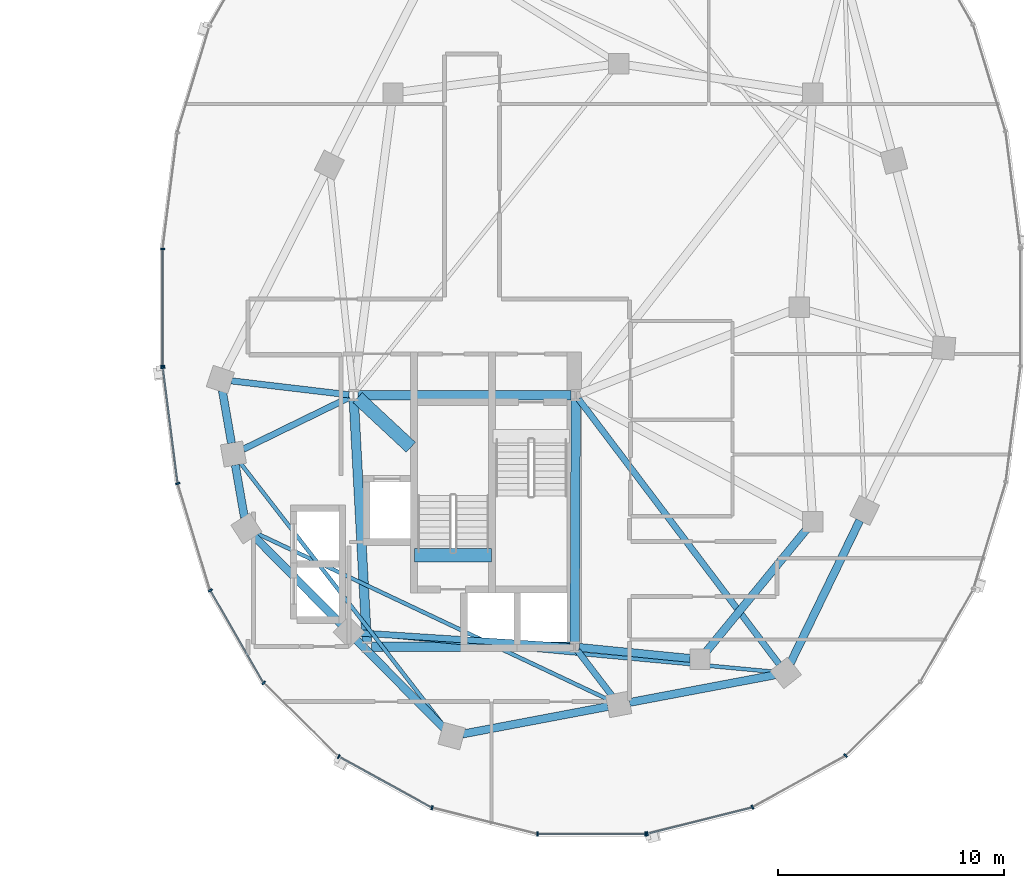
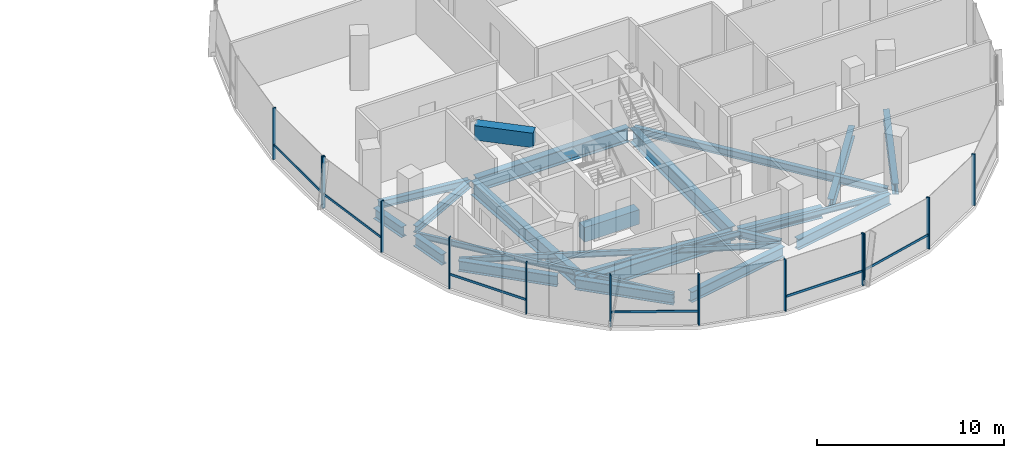
# One storey, part 6 of 22: 23 beams, 19 members, 3 elements without a shape of their own.
"""IFC4 building model written with IfcOpenShell, lengths in metres."""

from ifc_helpers import new_model, si_unit, direction, frame, origin, origin_2d, place, context, subcontext, project, spatial, rectangle, i_section, extrude, material, material_profile, profile_set, type_object, element, aggregate, save


model = new_model("IFC4")

# Units and contexts
model_context = context("Model", 3, precision=1e-05, world=origin(), true_north=direction((0.0, 1.0)))
body_context = subcontext(model_context, "Body", "Model", "MODEL_VIEW")
ifc_project = project(units=[si_unit("LENGTHUNIT", "METRE"), si_unit("AREAUNIT", "SQUARE_METRE"), si_unit("VOLUMEUNIT", "CUBIC_METRE"), si_unit("PLANEANGLEUNIT", "RADIAN"), si_unit("MASSUNIT", "GRAM", prefix="KILO"), si_unit("THERMODYNAMICTEMPERATUREUNIT", "KELVIN"), si_unit("POWERUNIT", "WATT")], contexts=[model_context])

# Site, building, storey
site_placement = place(None, origin())
site = spatial("IfcSite", under=ifc_project, at=site_placement, CompositionType="ELEMENT")
building_placement = place(site_placement, origin())
building = spatial("IfcBuilding", under=site, at=building_placement, Name="Cundina Bronze Exchange", CompositionType="ELEMENT")
storey_placement = place(building_placement, frame((0.0, 0.0, 154.800048828125)))
storey = spatial("IfcBuildingStorey", under=building, at=storey_placement, Name="L40", CompositionType="ELEMENT", Elevation=154.800048828125)

# Beams
ifc_material_1 = material(Name="Concrete C60/75", Category="concrete")
ifc_material_profile_1 = material_profile(ifc_material_1, rectangle(XDim=0.60009765625, YDim=0.949951171875, at=origin_2d()), Name="RC600X950", Category="concrete")
ifc_profile_set_1 = profile_set([ifc_material_profile_1], Name="Concrete C60/75")
beam_type_1 = type_object("IfcBeamType", Name="BM-COUP-RC950", PredefinedType="LINTEL", material=ifc_profile_set_1)
beam_1_placement = place(storey_placement, frame((24.159912109375, -10.97998046875, -0.47509765625), z_axis=(1.0, 0.0, 0.0), x_axis=(0.0, 1.0, 0.0)))
element("IfcBeam", 1, at=beam_1_placement, inside=storey, type_object=beam_type_1, Name="L40 Stair E2 Landing Header Beam", PredefinedType="LINTEL", context=body_context, shape_type="SweptSolid", body=[
    extrude(rectangle(XDim=0.60009765625, YDim=0.949951171875, at=origin_2d()), origin(), (0.0, 0.0, 1.0), 3.400146484375),
])
beam_2_placement = place(storey_placement, frame((21.6298828125, -4.0, 2.885009765625), z_axis=(0.731490439815, -0.681851696822, 0.0), x_axis=(0.681851696822, 0.731490439815, 0.0)))
element("IfcBeam", 2, at=beam_2_placement, inside=storey, type_object=beam_type_1, Name="L40 E Core Shear Coupling Lintel Beam", PredefinedType="LINTEL", context=body_context, shape_type="SweptSolid", body=[
    extrude(rectangle(XDim=0.60009765625, YDim=0.949951171875, at=origin_2d()), origin(), (0.0, 0.0, 1.0), 3.226318359375),
])
ifc_material_2 = material(Name="Steel ASTM A992 Grade 50", Category="steel")
ifc_material_profile_2 = material_profile(ifc_material_2, i_section(OverallWidth=0.280029296875, OverallDepth=0.462890625, WebThickness=0.0107421875, FlangeThickness=0.017333984375, FilletRadius=0.011962890625, at=origin_2d()), Name="W18X76", Category="steel")
ifc_profile_set_2 = profile_set([ifc_material_profile_2], Name="Steel ASTM A992 Grade 50")
beam_type_2 = type_object("IfcBeamType", Name="BM-FLR-W18A", PredefinedType="BEAM", material=ifc_profile_set_2)
beam_3_placement = place(storey_placement, frame((21.247314453125, -3.8759765625, -0.471435546875), z_axis=(-0.993036158382, 0.11780996624, 0.0), x_axis=(-0.11780996624, -0.993036158382, 0.0)))
element("IfcBeam", 3, at=beam_3_placement, inside=storey, type_object=beam_type_2, Name="L40 Leg E Chordal Floor Beam 00", PredefinedType="BEAM", context=body_context, shape_type="SweptSolid", body=[
    extrude(i_section(OverallWidth=0.280029296875, OverallDepth=0.462890625, WebThickness=0.0107421875, FlangeThickness=0.017333984375, FilletRadius=0.011962890625, at=origin_2d()), origin(), (0.0, 0.0, 1.0), 5.249267578125),
])
beam_4_placement = place(storey_placement, frame((21.2666015625, -3.989501953125, -0.471435546875), z_axis=(-0.898604300669, -0.438759969481, 0.0), x_axis=(0.438759969481, -0.898604300669, 0.0)))
element("IfcBeam", 4, at=beam_4_placement, inside=storey, type_object=beam_type_2, Name="L40 Leg E Chordal Floor Beam 01", PredefinedType="BEAM", context=body_context, shape_type="SweptSolid", body=[
    extrude(i_section(OverallWidth=0.280029296875, OverallDepth=0.462890625, WebThickness=0.0107421875, FlangeThickness=0.017333984375, FilletRadius=0.011962890625, at=origin_2d()), origin(), (0.0, 0.0, 1.0), 5.23388671875),
])
beam_5_placement = place(storey_placement, frame((31.04638671875, -15.036865234375, -0.471435546875), z_axis=(-0.99789334888, 0.064875760192, 0.0), x_axis=(-0.064875760192, -0.99789334888, 0.0)))
element("IfcBeam", 5, at=beam_5_placement, inside=storey, type_object=beam_type_2, Name="L40 Leg E Chordal Floor Beam 03", PredefinedType="BEAM", context=body_context, shape_type="SweptSolid", body=[
    extrude(i_section(OverallWidth=0.280029296875, OverallDepth=0.462890625, WebThickness=0.0107421875, FlangeThickness=0.017333984375, FilletRadius=0.011962890625, at=origin_2d()), origin(), (0.0, 0.0, 1.0), 9.328857421875),
])
beam_6_placement = place(storey_placement, frame((31.373779296875, -15.2119140625, -0.471435546875), z_axis=(0.607450107571, -0.794357832977, 0.0), x_axis=(0.794357832977, 0.607450107571, 0.0)))
element("IfcBeam", 6, at=beam_6_placement, inside=storey, type_object=beam_type_2, Name="L40 Leg E Chordal Floor Beam 05", PredefinedType="BEAM", context=body_context, shape_type="SweptSolid", body=[
    extrude(i_section(OverallWidth=0.280029296875, OverallDepth=0.462890625, WebThickness=0.0107421875, FlangeThickness=0.017333984375, FilletRadius=0.011962890625, at=origin_2d()), origin(), (0.0, 0.0, 1.0), 2.518310546875),
])
beam_7_placement = place(storey_placement, frame((31.423095703125, -4.062744140625, -0.471435546875), z_axis=(0.603103901721, -0.797662637792, 0.0), x_axis=(0.797662637792, 0.603103901721, 0.0)))
element("IfcBeam", 7, at=beam_7_placement, inside=storey, type_object=beam_type_2, Name="L40 Leg E Chordal Floor Beam 06", PredefinedType="BEAM", context=body_context, shape_type="SweptSolid", body=[
    extrude(i_section(OverallWidth=0.280029296875, OverallDepth=0.462890625, WebThickness=0.0107421875, FlangeThickness=0.017333984375, FilletRadius=0.011962890625, at=origin_2d()), origin(), (0.0, 0.0, 1.0), 14.72802734375),
])
ifc_material_profile_3 = material_profile(ifc_material_2, i_section(OverallWidth=0.172119140625, OverallDepth=0.35791015625, WebThickness=0.0078125, FlangeThickness=0.01318359375, FilletRadius=0.010009765625, at=origin_2d()), Name="W14X38", Category="steel")
ifc_profile_set_3 = profile_set([ifc_material_profile_3], Name="Steel ASTM A992 Grade 50")
beam_type_3 = type_object("IfcBeamType", Name="BM-JST-W14", PredefinedType="JOIST", material=ifc_profile_set_3)
beam_8_placement = place(storey_placement, frame((16.423583984375, -6.885986328125, -0.4189453125), z_axis=(0.61208354334, -0.790793105668, 0.0), x_axis=(0.790793105668, 0.61208354334, 0.0)))
element("IfcBeam", 8, at=beam_8_placement, inside=storey, type_object=beam_type_3, Name="L40 Leg E Lobe Floor Joist 01-04", PredefinedType="JOIST", context=body_context, shape_type="SweptSolid", body=[
    extrude(i_section(OverallWidth=0.172119140625, OverallDepth=0.35791015625, WebThickness=0.0078125, FlangeThickness=0.01318359375, FilletRadius=0.010009765625, at=origin_2d()), origin(), (0.0, 0.0, 1.0), 14.830810546875),
])
beam_9_placement = place(storey_placement, frame((17.14111328125, -10.008544921875, -0.4189453125), z_axis=(0.904074252188, -0.427375416385, 0.0), x_axis=(0.427375416385, 0.904074252188, 0.0)))
element("IfcBeam", 9, at=beam_9_placement, inside=storey, type_object=beam_type_3, Name="L40 Leg E Lobe Floor Joist 02-05", PredefinedType="JOIST", context=body_context, shape_type="SweptSolid", body=[
    extrude(i_section(OverallWidth=0.172119140625, OverallDepth=0.35791015625, WebThickness=0.0078125, FlangeThickness=0.01318359375, FilletRadius=0.010009765625, at=origin_2d()), origin(), (0.0, 0.0, 1.0), 17.274658203125),
])
beam_10_placement = place(storey_placement, frame((21.73583984375, -14.4453125, -0.4189453125), z_axis=(0.995701840093, -0.092616659595, 0.0), x_axis=(0.092616659595, 0.995701840093, 0.0)))
element("IfcBeam", 10, at=beam_10_placement, inside=storey, type_object=beam_type_3, Name="L40 Leg E Lobe Floor Joist 03-06", PredefinedType="JOIST", context=body_context, shape_type="SweptSolid", body=[
    extrude(i_section(OverallWidth=0.172119140625, OverallDepth=0.35791015625, WebThickness=0.0078125, FlangeThickness=0.01318359375, FilletRadius=0.010009765625, at=origin_2d()), origin(), (0.0, 0.0, 1.0), 18.45751953125),
])
ifc_material_profile_4 = material_profile(ifc_material_2, i_section(OverallWidth=0.35498046875, OverallDepth=0.695068359375, WebThickness=0.015380859375, FlangeThickness=0.02490234375, FilletRadius=0.01806640625, at=origin_2d()), Name="W27X146", Category="steel")
ifc_profile_set_4 = profile_set([ifc_material_profile_4], Name="Steel ASTM A992 Grade 50")
beam_type_4 = type_object("IfcBeamType", Name="BM-RING-W27", PredefinedType="USERDEFINED", material=ifc_profile_set_4)
beam_11_placement = place(storey_placement, frame((31.452880859375, -15.070068359375, -0.587646484375), z_axis=(0.995123020608, -0.098641643622, 0.0), x_axis=(0.098641643622, 0.995123020608, 0.0)))
element("IfcBeam", 11, at=beam_11_placement, inside=storey, type_object=beam_type_4, Name="L40 E Inner Structural Ring Girder 01", ObjectType="GIRDER", PredefinedType="USERDEFINED", context=body_context, shape_type="SweptSolid", body=[
    extrude(i_section(OverallWidth=0.35498046875, OverallDepth=0.695068359375, WebThickness=0.015380859375, FlangeThickness=0.02490234375, FilletRadius=0.01806640625, at=origin_2d()), origin(), (0.0, 0.0, 1.0), 4.935302734375),
])
beam_12_placement = place(storey_placement, frame((37.07763671875, -15.26123046875, -0.587646484375), z_axis=(0.633912590175, 0.77340469873, 0.0), x_axis=(-0.77340469873, 0.633912590175, 0.0)))
element("IfcBeam", 12, at=beam_12_placement, inside=storey, type_object=beam_type_4, Name="L40 E Inner Structural Ring Girder 02", ObjectType="GIRDER", PredefinedType="USERDEFINED", context=body_context, shape_type="SweptSolid", body=[
    extrude(i_section(OverallWidth=0.35498046875, OverallDepth=0.695068359375, WebThickness=0.015380859375, FlangeThickness=0.02490234375, FilletRadius=0.01806640625, at=origin_2d()), origin(), (0.0, 0.0, 1.0), 7.01123046875),
])
for number, where, z_axis, x_axis, name in (
    (13, (15.6337890625, -3.680908203125, -0.587646484375), (0.171666718895, -0.985155083032, 0.0), (0.985155083032, 0.171666718895, 0.0), "L40 E Perimeter Ring Girder 00"),
    (14, (16.208740234375, -6.980712890625, -0.587646484375), (0.171666718895, -0.985155083032, 0.0), (0.985155083032, 0.171666718895, 0.0), "L40 E Perimeter Ring Girder 01"),
):
    element("IfcBeam", number, at=place(storey_placement, frame(where, z_axis=z_axis, x_axis=x_axis)), inside=storey, type_object=beam_type_4, Name=name, ObjectType="GIRDER", PredefinedType="USERDEFINED", context=body_context, shape_type="SweptSolid", body=[
        extrude(i_section(OverallWidth=0.35498046875, OverallDepth=0.695068359375, WebThickness=0.015380859375, FlangeThickness=0.02490234375, FilletRadius=0.01806640625, at=origin_2d()), origin(), (0.0, 0.0, 1.0), 2.37353515625),
    ])
beam_13_placement = place(storey_placement, frame((17.043212890625, -10.14697265625, -0.587646484375), z_axis=(0.703230112979, -0.710962311378, 0.0), x_axis=(0.710962311378, 0.703230112979, 0.0)))
element("IfcBeam", 15, at=beam_13_placement, inside=storey, type_object=beam_type_4, Name="L40 E Perimeter Ring Girder 02", ObjectType="GIRDER", PredefinedType="USERDEFINED", context=body_context, shape_type="SweptSolid", body=[
    extrude(i_section(OverallWidth=0.35498046875, OverallDepth=0.695068359375, WebThickness=0.015380859375, FlangeThickness=0.02490234375, FilletRadius=0.01806640625, at=origin_2d()), origin(), (0.0, 0.0, 1.0), 5.493896484375),
])
beam_14_placement = place(storey_placement, frame((21.59326171875, -14.746826171875, -0.587646484375), z_axis=(0.703207895705, -0.710984286337, 0.0), x_axis=(0.710984286337, 0.703207895705, 0.0)))
element("IfcBeam", 16, at=beam_14_placement, inside=storey, type_object=beam_type_4, Name="L40 E Perimeter Ring Girder 03", ObjectType="GIRDER", PredefinedType="USERDEFINED", context=body_context, shape_type="SweptSolid", body=[
    extrude(i_section(OverallWidth=0.35498046875, OverallDepth=0.695068359375, WebThickness=0.015380859375, FlangeThickness=0.02490234375, FilletRadius=0.01806640625, at=origin_2d()), origin(), (0.0, 0.0, 1.0), 5.494140625),
])
beam_15_placement = place(storey_placement, frame((26.279541015625, -18.9091796875, -0.587646484375), z_axis=(0.982571532667, 0.185884865421, 0.0), x_axis=(-0.185884865421, 0.982571532667, 0.0)))
element("IfcBeam", 17, at=beam_15_placement, inside=storey, type_object=beam_type_4, Name="L40 E Perimeter Ring Girder 04", ObjectType="GIRDER", PredefinedType="USERDEFINED", context=body_context, shape_type="SweptSolid", body=[
    extrude(i_section(OverallWidth=0.35498046875, OverallDepth=0.695068359375, WebThickness=0.015380859375, FlangeThickness=0.02490234375, FilletRadius=0.01806640625, at=origin_2d()), origin(), (0.0, 0.0, 1.0), 6.55517578125),
])
beam_16_placement = place(storey_placement, frame((33.679443359375, -17.50927734375, -0.587646484375), z_axis=(0.982572819495, 0.185878063226, 0.0), x_axis=(-0.185878063226, 0.982572819495, 0.0)))
element("IfcBeam", 18, at=beam_16_placement, inside=storey, type_object=beam_type_4, Name="L40 E Perimeter Ring Girder 05", ObjectType="GIRDER", PredefinedType="USERDEFINED", context=body_context, shape_type="SweptSolid", body=[
    extrude(i_section(OverallWidth=0.35498046875, OverallDepth=0.695068359375, WebThickness=0.015380859375, FlangeThickness=0.02490234375, FilletRadius=0.01806640625, at=origin_2d()), origin(), (0.0, 0.0, 1.0), 6.555419921875),
])
beam_17_placement = place(storey_placement, frame((40.8134765625, -15.760986328125, -0.587646484375), z_axis=(0.437196998825, 0.89936576776, 0.0), x_axis=(-0.89936576776, 0.437196998825, 0.0)))
element("IfcBeam", 19, at=beam_17_placement, inside=storey, type_object=beam_type_4, Name="L40 E Perimeter Ring Girder 06", ObjectType="GIRDER", PredefinedType="USERDEFINED", context=body_context, shape_type="SweptSolid", body=[
    extrude(i_section(OverallWidth=0.35498046875, OverallDepth=0.695068359375, WebThickness=0.015380859375, FlangeThickness=0.02490234375, FilletRadius=0.01806640625, at=origin_2d()), origin(), (0.0, 0.0, 1.0), 7.029541015625),
])
ifc_material_profile_5 = material_profile(ifc_material_2, i_section(OverallWidth=0.41796875, OverallDepth=0.927001953125, WebThickness=0.019287109375, FlangeThickness=0.031982421875, FilletRadius=0.02392578125, at=origin_2d()), Name="W36X231", Category="steel")
ifc_profile_set_5 = profile_set([ifc_material_profile_5], Name="Steel ASTM A992 Grade 50")
beam_type_5 = type_object("IfcBeamType", Name="BM-WRN-W36B", PredefinedType="USERDEFINED", material=ifc_profile_set_5)
beam_18_placement = place(storey_placement, frame((31.095947265625, -3.89990234375, -0.70361328125), z_axis=(-1.0, 0.0, 0.0), x_axis=(0.0, -1.0, 0.0)))
element("IfcBeam", 20, at=beam_18_placement, inside=storey, type_object=beam_type_5, Name="L40 E Core Perimeter Tie Girder 1", ObjectType="GIRDER", PredefinedType="USERDEFINED", context=body_context, shape_type="SweptSolid", body=[
    extrude(i_section(OverallWidth=0.41796875, OverallDepth=0.927001953125, WebThickness=0.019287109375, FlangeThickness=0.031982421875, FilletRadius=0.02392578125, at=origin_2d()), origin(), (0.0, 0.0, 1.0), 9.44189453125),
])
beam_19_placement = place(storey_placement, frame((21.4609375, -4.103759765625, -0.70361328125), z_axis=(0.053739193498, -0.998555005537, 0.0), x_axis=(0.998555005537, 0.053739193498, 0.0)))
element("IfcBeam", 21, at=beam_19_placement, inside=storey, type_object=beam_type_5, Name="L40 E Core Perimeter Tie Girder 2", ObjectType="GIRDER", PredefinedType="USERDEFINED", context=body_context, shape_type="SweptSolid", body=[
    extrude(i_section(OverallWidth=0.41796875, OverallDepth=0.927001953125, WebThickness=0.019287109375, FlangeThickness=0.031982421875, FilletRadius=0.02392578125, at=origin_2d()), origin(), (0.0, 0.0, 1.0), 10.758056640625),
])
beam_20_placement = place(storey_placement, frame((22.25390625, -15.050048828125, -0.70361328125), z_axis=(1.0, 0.0, 0.0), x_axis=(0.0, 1.0, 0.0)))
element("IfcBeam", 22, at=beam_20_placement, inside=storey, type_object=beam_type_5, Name="L40 E Core Perimeter Tie Girder 3", ObjectType="GIRDER", PredefinedType="USERDEFINED", context=body_context, shape_type="SweptSolid", body=[
    extrude(i_section(OverallWidth=0.41796875, OverallDepth=0.927001953125, WebThickness=0.019287109375, FlangeThickness=0.031982421875, FilletRadius=0.02392578125, at=origin_2d()), origin(), (0.0, 0.0, 1.0), 8.7919921875),
])
beam_21_placement = place(storey_placement, frame((31.2509765625, -14.845947265625, -0.70361328125), z_axis=(0.004477329608, 0.99998997671, 0.0), x_axis=(-0.99998997671, 0.004477329608, 0.0)))
element("IfcBeam", 23, at=beam_21_placement, inside=storey, type_object=beam_type_5, Name="L40 E Core Perimeter Tie Girder 4", ObjectType="GIRDER", PredefinedType="USERDEFINED", context=body_context, shape_type="SweptSolid", body=[
    extrude(i_section(OverallWidth=0.41796875, OverallDepth=0.927001953125, WebThickness=0.019287109375, FlangeThickness=0.031982421875, FilletRadius=0.02392578125, at=origin_2d()), origin(), (0.0, 0.0, 1.0), 10.741943359375),
])

# Curtain wall, members
ifc_material_3 = material(Name="Anodised Bronze Aluminium 6063-T6", Category="aluminium")
curtain_wall_type = type_object("IfcCurtainWallType", Name="CWS-WST-PIN", PredefinedType="NOTDEFINED", material=ifc_material_3)
curtain_wall_1_placement = place(storey_placement, origin())
curtain_wall_1 = element("IfcCurtainWall", 24, at=curtain_wall_1_placement, inside=storey, type_object=curtain_wall_type, Name="L40 CW-04 Curtain Wall Run CWR-L40-E2", PredefinedType="NOTDEFINED")
ifc_material_profile_6 = material_profile(ifc_material_3, rectangle(XDim=0.070068359375, YDim=0.18994140625, at=origin_2d()), Name="AL70X190", Category="aluminium")
ifc_profile_set_6 = profile_set([ifc_material_profile_6], Name="Anodised Bronze Aluminium 6063-T6")
member_type_1 = type_object("IfcMemberType", Name="CWM-MUL-190", PredefinedType="MULLION", material=ifc_profile_set_6)
member_1_placement = place(storey_placement, frame((12.992919921875, 2.593017578125, 0.0), z_axis=(0.0, 0.0, 1.0), x_axis=(0.0, -1.0, 0.0)))
member_1 = element("IfcMember", 25, at=member_1_placement, type_object=member_type_1, Name="CW-04 Mullion 7", PredefinedType="MULLION", context=body_context, shape_type="SweptSolid", body=[
    extrude(rectangle(XDim=0.070068359375, YDim=0.18994140625, at=origin_2d()), origin(), (0.0, 0.0, 1.0), 3.35986328125),
])
member_2_placement = place(storey_placement, frame((12.992919921875, -2.593017578125, 0.0), z_axis=(0.0, 0.0, 1.0), x_axis=(0.0, -1.0, 0.0)))
member_2 = element("IfcMember", 26, at=member_2_placement, type_object=member_type_1, Name="CW-04 End Mullion", PredefinedType="MULLION", context=body_context, shape_type="SweptSolid", body=[
    extrude(rectangle(XDim=0.070068359375, YDim=0.18994140625, at=origin_2d()), origin(), (0.0, 0.0, 1.0), 3.35986328125),
])

curtain_wall_2_placement = place(storey_placement, origin())
curtain_wall_2 = element("IfcCurtainWall", 27, at=curtain_wall_2_placement, inside=storey, type_object=curtain_wall_type, Name="L40 CW-04 Curtain Wall Run CWR-L40-E3", PredefinedType="NOTDEFINED")
member_3_placement = place(storey_placement, frame((12.998291015625, -2.676025390625, 0.0), z_axis=(0.0, 0.0, 1.0), x_axis=(0.126545236492, -0.991960837494, 0.0)))
member_3 = element("IfcMember", 28, at=member_3_placement, type_object=member_type_1, Name="CW-04 Mullion 1", PredefinedType="MULLION", context=body_context, shape_type="SweptSolid", body=[
    extrude(rectangle(XDim=0.070068359375, YDim=0.18994140625, at=origin_2d()), origin(), (0.0, 0.0, 1.0), 3.35986328125),
])
member_4_placement = place(storey_placement, frame((13.6591796875, -7.80859375, 0.0), z_axis=(0.0, 0.0, 1.0), x_axis=(0.290034140915, -0.957016299288, 0.0)))
member_4 = element("IfcMember", 29, at=member_4_placement, type_object=member_type_1, Name="CW-04 Mullion 2", PredefinedType="MULLION", context=body_context, shape_type="SweptSolid", body=[
    extrude(rectangle(XDim=0.070068359375, YDim=0.18994140625, at=origin_2d()), origin(), (0.0, 0.0, 1.0), 3.35986328125),
])
member_5_placement = place(storey_placement, frame((15.10205078125, -12.541259765625, 0.0), z_axis=(0.0, 0.0, 1.0), x_axis=(0.498487739754, -0.866896748936, 0.0)))
member_5 = element("IfcMember", 30, at=member_5_placement, type_object=member_type_1, Name="CW-04 Mullion 3", PredefinedType="MULLION", context=body_context, shape_type="SweptSolid", body=[
    extrude(rectangle(XDim=0.070068359375, YDim=0.18994140625, at=origin_2d()), origin(), (0.0, 0.0, 1.0), 3.35986328125),
])
member_6_placement = place(storey_placement, frame((17.469482421875, -16.640380859375, 0.0), z_axis=(0.0, 0.0, 1.0), x_axis=(0.712026045991, -0.702153052995, 0.0)))
member_6 = element("IfcMember", 31, at=member_6_placement, type_object=member_type_1, Name="CW-04 Mullion 4", PredefinedType="MULLION", context=body_context, shape_type="SweptSolid", body=[
    extrude(rectangle(XDim=0.070068359375, YDim=0.18994140625, at=origin_2d()), origin(), (0.0, 0.0, 1.0), 3.35986328125),
])
member_7_placement = place(storey_placement, frame((20.79345703125, -19.906005859375, 0.0), z_axis=(0.0, 0.0, 1.0), x_axis=(0.875885937035, -0.482518212408, 0.0)))
member_7 = element("IfcMember", 32, at=member_7_placement, type_object=member_type_1, Name="CW-04 Mullion 5", PredefinedType="MULLION", context=body_context, shape_type="SweptSolid", body=[
    extrude(rectangle(XDim=0.070068359375, YDim=0.18994140625, at=origin_2d()), origin(), (0.0, 0.0, 1.0), 3.35986328125),
])
member_8_placement = place(storey_placement, frame((24.932373046875, -22.17626953125, 0.0), z_axis=(0.0, 0.0, 1.0), x_axis=(0.970084240161, -0.242768546132, 0.0)))
member_8 = element("IfcMember", 33, at=member_8_placement, type_object=member_type_1, Name="CW-04 Mullion 6", PredefinedType="MULLION", context=body_context, shape_type="SweptSolid", body=[
    extrude(rectangle(XDim=0.070068359375, YDim=0.18994140625, at=origin_2d()), origin(), (0.0, 0.0, 1.0), 3.35986328125),
])
member_9_placement = place(storey_placement, frame((29.60595703125, -23.3369140625, 0.0), z_axis=(0.0, 0.0, 1.0), x_axis=(1.0, 0.0, 0.0)))
member_9 = element("IfcMember", 34, at=member_9_placement, type_object=member_type_1, Name="CW-04 Mullion 7", PredefinedType="MULLION", context=body_context, shape_type="SweptSolid", body=[
    extrude(rectangle(XDim=0.070068359375, YDim=0.18994140625, at=origin_2d()), origin(), (0.0, 0.0, 1.0), 3.35986328125),
])
member_10_placement = place(storey_placement, frame((34.39404296875, -23.3369140625, 0.0), z_axis=(0.0, 0.0, 1.0), x_axis=(1.0, 0.0, 0.0)))
member_10 = element("IfcMember", 35, at=member_10_placement, type_object=member_type_1, Name="CW-04 End Mullion", PredefinedType="MULLION", context=body_context, shape_type="SweptSolid", body=[
    extrude(rectangle(XDim=0.070068359375, YDim=0.18994140625, at=origin_2d()), origin(), (0.0, 0.0, 1.0), 3.35986328125),
])

curtain_wall_3_placement = place(storey_placement, origin())
curtain_wall_3 = element("IfcCurtainWall", 36, at=curtain_wall_3_placement, inside=storey, type_object=curtain_wall_type, Name="L40 CW-04 Curtain Wall Run CWR-L40-E4", PredefinedType="NOTDEFINED")
member_11_placement = place(storey_placement, frame((34.462646484375, -23.32861328125, 0.0), z_axis=(0.0, 0.0, 1.0), x_axis=(0.970084240161, 0.242768546132, 0.0)))
member_11 = element("IfcMember", 37, at=member_11_placement, type_object=member_type_1, Name="CW-04 Mullion 1", PredefinedType="MULLION", context=body_context, shape_type="SweptSolid", body=[
    extrude(rectangle(XDim=0.070068359375, YDim=0.18994140625, at=origin_2d()), origin(), (0.0, 0.0, 1.0), 3.35986328125),
])
member_12_placement = place(storey_placement, frame((39.13037109375, -22.151611328125, 0.0), z_axis=(0.0, 0.0, 1.0), x_axis=(0.875885937035, 0.482518212408, 0.0)))
member_12 = element("IfcMember", 38, at=member_12_placement, type_object=member_type_1, Name="CW-04 Mullion 2", PredefinedType="MULLION", context=body_context, shape_type="SweptSolid", body=[
    extrude(rectangle(XDim=0.070068359375, YDim=0.18994140625, at=origin_2d()), origin(), (0.0, 0.0, 1.0), 3.35986328125),
])
member_13_placement = place(storey_placement, frame((43.259033203125, -19.86669921875, 0.0), z_axis=(0.0, 0.0, 1.0), x_axis=(0.712026045991, 0.702153052995, 0.0)))
member_13 = element("IfcMember", 39, at=member_13_placement, type_object=member_type_1, Name="CW-04 Mullion 3", PredefinedType="MULLION", context=body_context, shape_type="SweptSolid", body=[
    extrude(rectangle(XDim=0.070068359375, YDim=0.18994140625, at=origin_2d()), origin(), (0.0, 0.0, 1.0), 3.35986328125),
])

# Member
ifc_material_profile_7 = material_profile(ifc_material_3, rectangle(XDim=0.06494140625, YDim=0.14990234375, at=origin_2d()), Name="AL65X150", Category="aluminium")
ifc_profile_set_7 = profile_set([ifc_material_profile_7], Name="Anodised Bronze Aluminium 6063-T6")
member_type_2 = type_object("IfcMemberType", Name="CWM-TRN-150", PredefinedType="USERDEFINED", material=ifc_profile_set_7)
member_14_placement = place(storey_placement, frame((12.992919921875, 2.554443359375, 0.919921875), z_axis=(0.0, -1.0, 0.0), x_axis=(1.0, 0.0, 0.0)))
member_14 = element("IfcMember", 40, at=member_14_placement, type_object=member_type_2, Name="CW-04 Spandrel Transom 7", ObjectType="TRANSOM", PredefinedType="USERDEFINED", context=body_context, shape_type="SweptSolid", body=[
    extrude(rectangle(XDim=0.06494140625, YDim=0.14990234375, at=origin_2d()), origin(), (0.0, 0.0, 1.0), 5.10888671875),
])

aggregate(curtain_wall_1, [member_1, member_2, member_14])

member_15_placement = place(storey_placement, frame((13.003173828125, -2.71435546875, 0.919921875), z_axis=(0.12646340362, -0.991971273548, 0.0), x_axis=(0.991971273548, 0.12646340362, 0.0)))
member_15 = element("IfcMember", 41, at=member_15_placement, type_object=member_type_2, Name="CW-04 Spandrel Transom 1", ObjectType="TRANSOM", PredefinedType="USERDEFINED", context=body_context, shape_type="SweptSolid", body=[
    extrude(rectangle(XDim=0.06494140625, YDim=0.14990234375, at=origin_2d()), origin(), (0.0, 0.0, 1.0), 5.0966796875),
])

member_16_placement = place(storey_placement, frame((15.121337890625, -12.574462890625, 0.919921875), z_axis=(0.498479967047, -0.866901218394, 0.0), x_axis=(0.866901218394, 0.498479967047, 0.0)))
member_16 = element("IfcMember", 42, at=member_16_placement, type_object=member_type_2, Name="CW-04 Spandrel Transom 3", ObjectType="TRANSOM", PredefinedType="USERDEFINED", context=body_context, shape_type="SweptSolid", body=[
    extrude(rectangle(XDim=0.06494140625, YDim=0.14990234375, at=origin_2d()), origin(), (0.0, 0.0, 1.0), 4.66845703125),
])

member_17_placement = place(storey_placement, frame((20.8271484375, -19.924560546875, 0.919921875), z_axis=(0.875878981549, -0.482530838062, 0.0), x_axis=(0.482530838062, 0.875878981549, 0.0)))
member_17 = element("IfcMember", 43, at=member_17_placement, type_object=member_type_2, Name="CW-04 Spandrel Transom 5", ObjectType="TRANSOM", PredefinedType="USERDEFINED", context=body_context, shape_type="SweptSolid", body=[
    extrude(rectangle(XDim=0.06494140625, YDim=0.14990234375, at=origin_2d()), origin(), (0.0, 0.0, 1.0), 4.65380859375),
])

member_18_placement = place(storey_placement, frame((29.64453125, -23.3369140625, 0.919921875), z_axis=(1.0, 0.0, 0.0), x_axis=(0.0, 1.0, 0.0)))
member_18 = element("IfcMember", 44, at=member_18_placement, type_object=member_type_2, Name="CW-04 Spandrel Transom 7", ObjectType="TRANSOM", PredefinedType="USERDEFINED", context=body_context, shape_type="SweptSolid", body=[
    extrude(rectangle(XDim=0.06494140625, YDim=0.14990234375, at=origin_2d()), origin(), (0.0, 0.0, 1.0), 4.7109375),
])

aggregate(curtain_wall_2, [member_3, member_15, member_4, member_5, member_16, member_6, member_7, member_17, member_8, member_9, member_10, member_18])

member_19_placement = place(storey_placement, frame((34.5, -23.319091796875, 0.919921875), z_axis=(0.970100130035, 0.242705042606, 0.0), x_axis=(-0.242705042606, 0.970100130035, 0.0)))
member_19 = element("IfcMember", 45, at=member_19_placement, type_object=member_type_2, Name="CW-04 Spandrel Transom 1", ObjectType="TRANSOM", PredefinedType="USERDEFINED", context=body_context, shape_type="SweptSolid", body=[
    extrude(rectangle(XDim=0.06494140625, YDim=0.14990234375, at=origin_2d()), origin(), (0.0, 0.0, 1.0), 4.746826171875),
])

aggregate(curtain_wall_3, [member_11, member_19, member_12, member_13])

save(model, "model.ifc")
